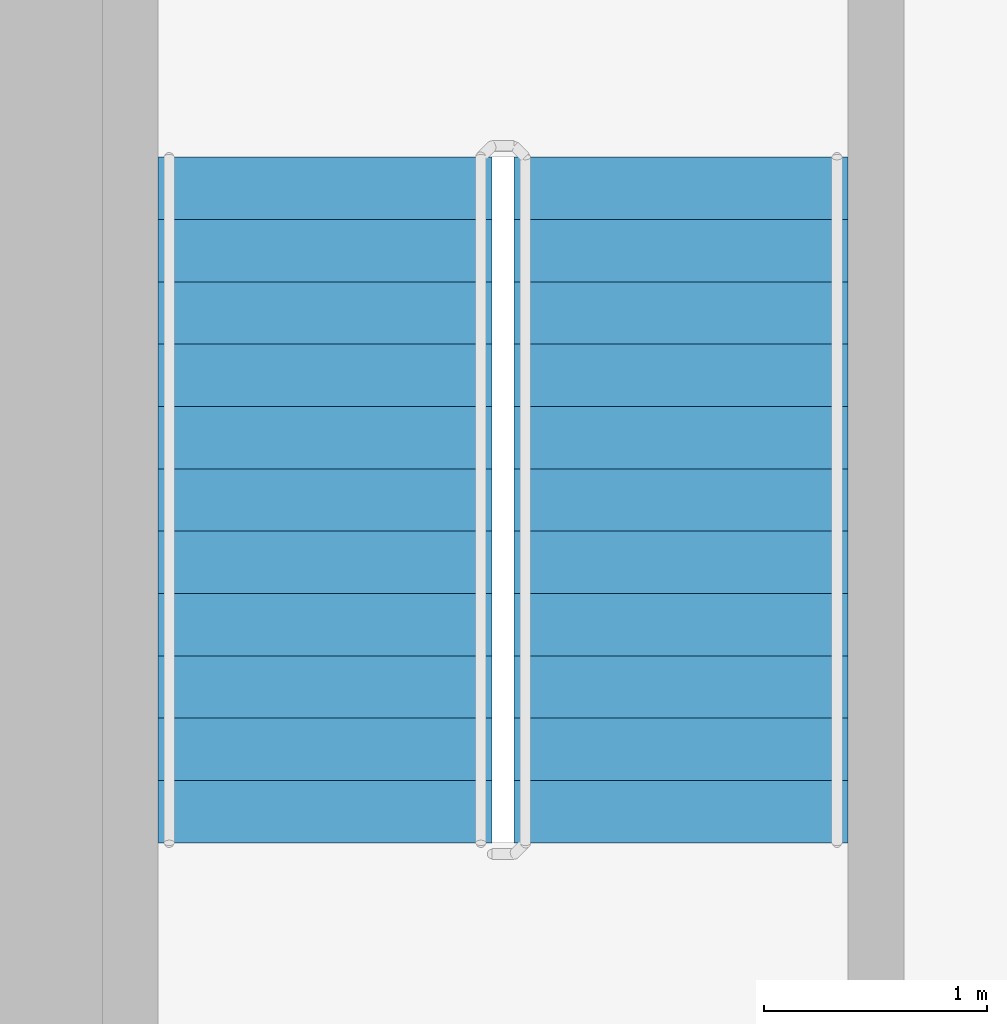
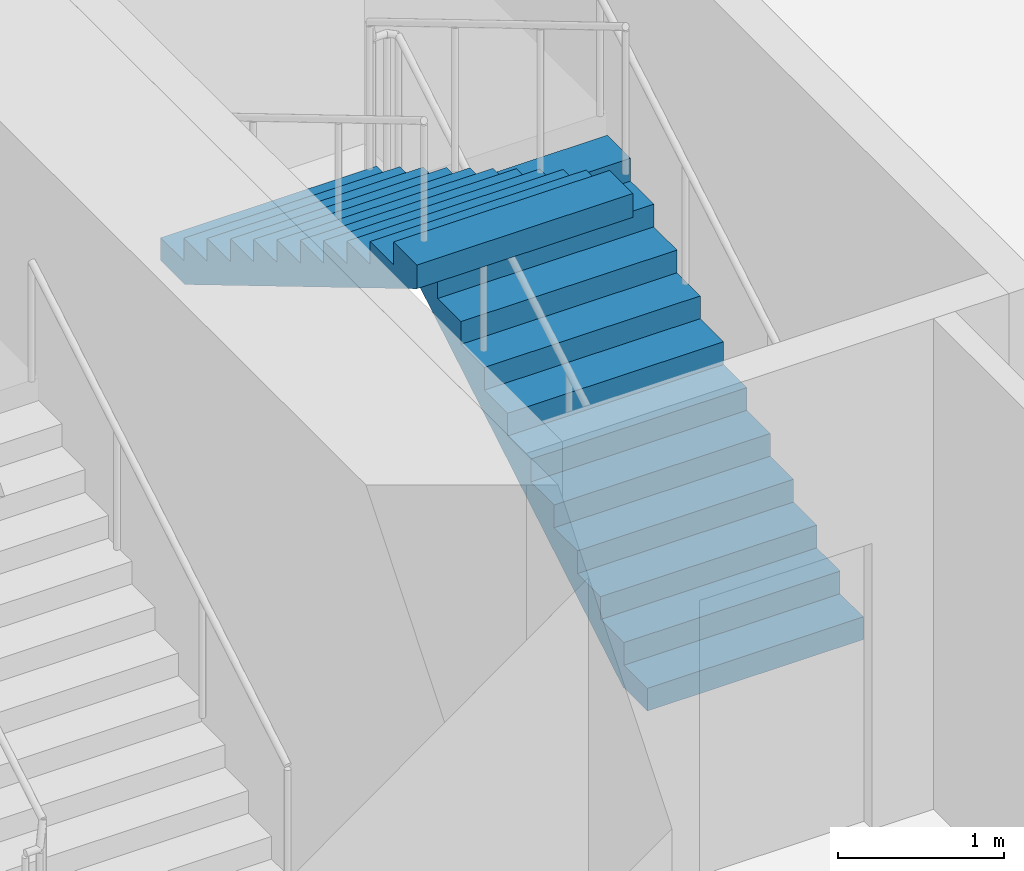
# One storey, part 19 of 23: 2 stair flights, 1 element without a shape of its own.
"""IFC4 building model written with IfcOpenShell, lengths in metres."""

from ifc_helpers import new_model, si_unit, direction, frame, origin, place, context, subcontext, project, spatial, triangles, source, transform, mapped, material, type_object, element, aggregate, save


model = new_model("IFC4")

# Units and contexts
model_context = context("Model", 3, precision=1e-05, world=origin(), true_north=direction((0.0, 1.0)))
body_context = subcontext(model_context, "Body", "Model", "MODEL_VIEW")
ifc_project = project(units=[si_unit("LENGTHUNIT", "METRE"), si_unit("AREAUNIT", "SQUARE_METRE"), si_unit("VOLUMEUNIT", "CUBIC_METRE"), si_unit("PLANEANGLEUNIT", "RADIAN"), si_unit("MASSUNIT", "GRAM", prefix="KILO")], contexts=[model_context])

# Site, building, storey
site_placement = place(None, origin())
site = spatial("IfcSite", under=ifc_project, at=site_placement, CompositionType="ELEMENT")
building_placement = place(site_placement, origin())
building = spatial("IfcBuilding", under=site, at=building_placement, Name="Kilnfold Tower and Market Hall", CompositionType="ELEMENT")
storey_placement = place(building_placement, frame((0.0, 0.0, 55.0)))
storey = spatial("IfcBuildingStorey", under=building, at=storey_placement, Name="L12", CompositionType="ELEMENT", Elevation=55.0)

# Stair, stair flights
ifc_material_1 = material(Name="Concrete C40/50", Category="concrete")
stair_type = type_object("IfcStairType", Name="CORE STAIR 1500", PredefinedType="HALF_TURN_STAIR", material=ifc_material_1)
stair_placement = place(storey_placement, origin())
stair = element("IfcStair", 1, at=stair_placement, inside=storey, type_object=stair_type, Name="L12 ST5", PredefinedType="HALF_TURN_STAIR")
ifc_material_2 = material(Name="Concrete C40/50", Category="concrete")
stair_flight_type = type_object("IfcStairFlightType", Name="CORE STAIR FLIGHT 1500", PredefinedType="STRAIGHT", material=ifc_material_2)
shared_shape = source(origin(), body_context, "Body", "Tessellation", [
    triangles([(0.0, 0.75, 0.0), (0.0, 0.65625, 0.0), (0.0, 0.5625, 0.0), (0.0, 0.46875, 0.0), (0.0, 0.375, 0.0), (0.0, 0.28125, 0.0), (0.0, 0.1875, 0.0), (0.0, 0.09375, 0.0), (0.0, 0.0, 0.0), (0.0, -0.09375, 0.0), (0.0, -0.1875, 0.0), (0.0, -0.28125, 0.0), (0.0, -0.375, 0.0), (0.0, -0.46875, 0.0), (0.0, -0.5625, 0.0), (0.0, -0.65625, 0.0), (0.0, -0.75, 0.0), (0.0, 0.75, 0.166748046875), (0.0, 0.65625, 0.166748046875), (0.0, 0.5625, 0.166748046875), (0.0, 0.46875, 0.166748046875), (0.0, 0.375, 0.166748046875), (0.0, 0.28125, 0.166748046875), (0.0, 0.1875, 0.166748046875), (0.0, 0.09375, 0.166748046875), (0.0, 0.0, 0.166748046875), (0.0, -0.09375, 0.166748046875), (0.0, -0.1875, 0.166748046875), (0.0, -0.28125, 0.166748046875), (0.0, -0.375, 0.166748046875), (0.0, -0.46875, 0.166748046875), (0.0, -0.5625, 0.166748046875), (0.0, -0.65625, 0.166748046875), (0.0, -0.75, 0.166748046875), (0.280029296875, 0.75, 0.166748046875), (0.280029296875, 0.65625, 0.166748046875), (0.280029296875, 0.5625, 0.166748046875), (0.280029296875, 0.46875, 0.166748046875), (0.280029296875, 0.375, 0.166748046875), (0.280029296875, 0.28125, 0.166748046875), (0.280029296875, 0.1875, 0.166748046875), (0.280029296875, 0.09375, 0.166748046875), (0.280029296875, 0.0, 0.166748046875), (0.280029296875, -0.09375, 0.166748046875), (0.280029296875, -0.1875, 0.166748046875), (0.280029296875, -0.28125, 0.166748046875), (0.280029296875, -0.375, 0.166748046875), (0.280029296875, -0.46875, 0.166748046875), (0.280029296875, -0.5625, 0.166748046875), (0.280029296875, -0.65625, 0.166748046875), (0.280029296875, -0.75, 0.166748046875), (0.280029296875, 0.75, 0.333251953125), (0.280029296875, 0.65625, 0.333251953125), (0.280029296875, 0.5625, 0.333251953125), (0.280029296875, 0.46875, 0.333251953125), (0.280029296875, 0.375, 0.333251953125), (0.280029296875, 0.28125, 0.333251953125), (0.280029296875, 0.1875, 0.333251953125), (0.280029296875, 0.09375, 0.333251953125), (0.280029296875, 0.0, 0.333251953125), (0.280029296875, -0.09375, 0.333251953125), (0.280029296875, -0.1875, 0.333251953125), (0.280029296875, -0.28125, 0.333251953125), (0.280029296875, -0.375, 0.333251953125), (0.280029296875, -0.46875, 0.333251953125), (0.280029296875, -0.5625, 0.333251953125), (0.280029296875, -0.65625, 0.333251953125), (0.280029296875, -0.75, 0.333251953125), (0.56005859375, 0.75, 0.333251953125), (0.56005859375, 0.65625, 0.333251953125), (0.56005859375, 0.5625, 0.333251953125), (0.56005859375, 0.46875, 0.333251953125), (0.56005859375, 0.375, 0.333251953125), (0.56005859375, 0.28125, 0.333251953125), (0.56005859375, 0.1875, 0.333251953125), (0.56005859375, 0.09375, 0.333251953125), (0.56005859375, 0.0, 0.333251953125), (0.56005859375, -0.09375, 0.333251953125), (0.56005859375, -0.1875, 0.333251953125), (0.56005859375, -0.28125, 0.333251953125), (0.56005859375, -0.375, 0.333251953125), (0.56005859375, -0.46875, 0.333251953125), (0.56005859375, -0.5625, 0.333251953125), (0.56005859375, -0.65625, 0.333251953125), (0.56005859375, -0.75, 0.333251953125), (0.56005859375, 0.75, 0.5), (0.56005859375, 0.65625, 0.5), (0.56005859375, 0.5625, 0.5), (0.56005859375, 0.46875, 0.5), (0.56005859375, 0.375, 0.5), (0.56005859375, 0.28125, 0.5), (0.56005859375, 0.1875, 0.5), (0.56005859375, 0.09375, 0.5), (0.56005859375, 0.0, 0.5), (0.56005859375, -0.09375, 0.5), (0.56005859375, -0.1875, 0.5), (0.56005859375, -0.28125, 0.5), (0.56005859375, -0.375, 0.5), (0.56005859375, -0.46875, 0.5), (0.56005859375, -0.5625, 0.5), (0.56005859375, -0.65625, 0.5), (0.56005859375, -0.75, 0.5), (0.840087890625, 0.75, 0.5), (0.840087890625, 0.65625, 0.5), (0.840087890625, 0.5625, 0.5), (0.840087890625, 0.46875, 0.5), (0.840087890625, 0.375, 0.5), (0.840087890625, 0.28125, 0.5), (0.840087890625, 0.1875, 0.5), (0.840087890625, 0.09375, 0.5), (0.840087890625, 0.0, 0.5), (0.840087890625, -0.09375, 0.5), (0.840087890625, -0.1875, 0.5), (0.840087890625, -0.28125, 0.5), (0.840087890625, -0.375, 0.5), (0.840087890625, -0.46875, 0.5), (0.840087890625, -0.5625, 0.5), (0.840087890625, -0.65625, 0.5), (0.840087890625, -0.75, 0.5), (0.840087890625, 0.75, 0.666748046875), (0.840087890625, 0.65625, 0.666748046875), (0.840087890625, 0.5625, 0.666748046875), (0.840087890625, 0.46875, 0.666748046875), (0.840087890625, 0.375, 0.666748046875), (0.840087890625, 0.28125, 0.666748046875), (0.840087890625, 0.1875, 0.666748046875), (0.840087890625, 0.09375, 0.666748046875), (0.840087890625, 0.0, 0.666748046875), (0.840087890625, -0.09375, 0.666748046875), (0.840087890625, -0.1875, 0.666748046875), (0.840087890625, -0.28125, 0.666748046875), (0.840087890625, -0.375, 0.666748046875), (0.840087890625, -0.46875, 0.666748046875), (0.840087890625, -0.5625, 0.666748046875), (0.840087890625, -0.65625, 0.666748046875), (0.840087890625, -0.75, 0.666748046875), (1.1201171875, 0.75, 0.666748046875), (1.1201171875, 0.65625, 0.666748046875), (1.1201171875, 0.5625, 0.666748046875), (1.1201171875, 0.46875, 0.666748046875), (1.1201171875, 0.375, 0.666748046875), (1.1201171875, 0.28125, 0.666748046875), (1.1201171875, 0.1875, 0.666748046875), (1.1201171875, 0.09375, 0.666748046875), (1.1201171875, 0.0, 0.666748046875), (1.1201171875, -0.09375, 0.666748046875), (1.1201171875, -0.1875, 0.666748046875), (1.1201171875, -0.28125, 0.666748046875), (1.1201171875, -0.375, 0.666748046875), (1.1201171875, -0.46875, 0.666748046875), (1.1201171875, -0.5625, 0.666748046875), (1.1201171875, -0.65625, 0.666748046875), (1.1201171875, -0.75, 0.666748046875), (1.1201171875, 0.75, 0.833251953125), (1.1201171875, 0.65625, 0.833251953125), (1.1201171875, 0.5625, 0.833251953125), (1.1201171875, 0.46875, 0.833251953125), (1.1201171875, 0.375, 0.833251953125), (1.1201171875, 0.28125, 0.833251953125), (1.1201171875, 0.1875, 0.833251953125), (1.1201171875, 0.09375, 0.833251953125), (1.1201171875, 0.0, 0.833251953125), (1.1201171875, -0.09375, 0.833251953125), (1.1201171875, -0.1875, 0.833251953125), (1.1201171875, -0.28125, 0.833251953125), (1.1201171875, -0.375, 0.833251953125), (1.1201171875, -0.46875, 0.833251953125), (1.1201171875, -0.5625, 0.833251953125), (1.1201171875, -0.65625, 0.833251953125), (1.1201171875, -0.75, 0.833251953125), (1.39990234375, 0.75, 0.833251953125), (1.39990234375, 0.65625, 0.833251953125), (1.39990234375, 0.5625, 0.833251953125), (1.39990234375, 0.46875, 0.833251953125), (1.39990234375, 0.375, 0.833251953125), (1.39990234375, 0.28125, 0.833251953125), (1.39990234375, 0.1875, 0.833251953125), (1.39990234375, 0.09375, 0.833251953125), (1.39990234375, 0.0, 0.833251953125), (1.39990234375, -0.09375, 0.833251953125), (1.39990234375, -0.1875, 0.833251953125), (1.39990234375, -0.28125, 0.833251953125), (1.39990234375, -0.375, 0.833251953125), (1.39990234375, -0.46875, 0.833251953125), (1.39990234375, -0.5625, 0.833251953125), (1.39990234375, -0.65625, 0.833251953125), (1.39990234375, -0.75, 0.833251953125), (1.39990234375, 0.75, 1.0), (1.39990234375, 0.65625, 1.0), (1.39990234375, 0.5625, 1.0), (1.39990234375, 0.46875, 1.0), (1.39990234375, 0.375, 1.0), (1.39990234375, 0.28125, 1.0), (1.39990234375, 0.1875, 1.0), (1.39990234375, 0.09375, 1.0), (1.39990234375, 0.0, 1.0), (1.39990234375, -0.09375, 1.0), (1.39990234375, -0.1875, 1.0), (1.39990234375, -0.28125, 1.0), (1.39990234375, -0.375, 1.0), (1.39990234375, -0.46875, 1.0), (1.39990234375, -0.5625, 1.0), (1.39990234375, -0.65625, 1.0), (1.39990234375, -0.75, 1.0), (1.679931640625, 0.75, 1.0), (1.679931640625, 0.65625, 1.0), (1.679931640625, 0.5625, 1.0), (1.679931640625, 0.46875, 1.0), (1.679931640625, 0.375, 1.0), (1.679931640625, 0.28125, 1.0), (1.679931640625, 0.1875, 1.0), (1.679931640625, 0.09375, 1.0), (1.679931640625, 0.0, 1.0), (1.679931640625, -0.09375, 1.0), (1.679931640625, -0.1875, 1.0), (1.679931640625, -0.28125, 1.0), (1.679931640625, -0.375, 1.0), (1.679931640625, -0.46875, 1.0), (1.679931640625, -0.5625, 1.0), (1.679931640625, -0.65625, 1.0), (1.679931640625, -0.75, 1.0), (1.679931640625, 0.75, 1.166748046875), (1.679931640625, 0.65625, 1.166748046875), (1.679931640625, 0.5625, 1.166748046875), (1.679931640625, 0.46875, 1.166748046875), (1.679931640625, 0.375, 1.166748046875), (1.679931640625, 0.28125, 1.166748046875), (1.679931640625, 0.1875, 1.166748046875), (1.679931640625, 0.09375, 1.166748046875), (1.679931640625, 0.0, 1.166748046875), (1.679931640625, -0.09375, 1.166748046875), (1.679931640625, -0.1875, 1.166748046875), (1.679931640625, -0.28125, 1.166748046875), (1.679931640625, -0.375, 1.166748046875), (1.679931640625, -0.46875, 1.166748046875), (1.679931640625, -0.5625, 1.166748046875), (1.679931640625, -0.65625, 1.166748046875), (1.679931640625, -0.75, 1.166748046875), (1.9599609375, 0.75, 1.166748046875), (1.9599609375, 0.65625, 1.166748046875), (1.9599609375, 0.5625, 1.166748046875), (1.9599609375, 0.46875, 1.166748046875), (1.9599609375, 0.375, 1.166748046875), (1.9599609375, 0.28125, 1.166748046875), (1.9599609375, 0.1875, 1.166748046875), (1.9599609375, 0.09375, 1.166748046875), (1.9599609375, 0.0, 1.166748046875), (1.9599609375, -0.09375, 1.166748046875), (1.9599609375, -0.1875, 1.166748046875), (1.9599609375, -0.28125, 1.166748046875), (1.9599609375, -0.375, 1.166748046875), (1.9599609375, -0.46875, 1.166748046875), (1.9599609375, -0.5625, 1.166748046875), (1.9599609375, -0.65625, 1.166748046875), (1.9599609375, -0.75, 1.166748046875), (1.9599609375, 0.75, 1.333251953125), (1.9599609375, 0.65625, 1.333251953125), (1.9599609375, 0.5625, 1.333251953125), (1.9599609375, 0.46875, 1.333251953125), (1.9599609375, 0.375, 1.333251953125), (1.9599609375, 0.28125, 1.333251953125), (1.9599609375, 0.1875, 1.333251953125), (1.9599609375, 0.09375, 1.333251953125), (1.9599609375, 0.0, 1.333251953125), (1.9599609375, -0.09375, 1.333251953125), (1.9599609375, -0.1875, 1.333251953125), (1.9599609375, -0.28125, 1.333251953125), (1.9599609375, -0.375, 1.333251953125), (1.9599609375, -0.46875, 1.333251953125), (1.9599609375, -0.5625, 1.333251953125), (1.9599609375, -0.65625, 1.333251953125), (1.9599609375, -0.75, 1.333251953125), (2.239990234375, 0.75, 1.333251953125), (2.239990234375, 0.65625, 1.333251953125), (2.239990234375, 0.5625, 1.333251953125), (2.239990234375, 0.46875, 1.333251953125), (2.239990234375, 0.375, 1.333251953125), (2.239990234375, 0.28125, 1.333251953125), (2.239990234375, 0.1875, 1.333251953125), (2.239990234375, 0.09375, 1.333251953125), (2.239990234375, 0.0, 1.333251953125), (2.239990234375, -0.09375, 1.333251953125), (2.239990234375, -0.1875, 1.333251953125), (2.239990234375, -0.28125, 1.333251953125), (2.239990234375, -0.375, 1.333251953125), (2.239990234375, -0.46875, 1.333251953125), (2.239990234375, -0.5625, 1.333251953125), (2.239990234375, -0.65625, 1.333251953125), (2.239990234375, -0.75, 1.333251953125), (2.239990234375, 0.75, 1.5), (2.239990234375, 0.65625, 1.5), (2.239990234375, 0.5625, 1.5), (2.239990234375, 0.46875, 1.5), (2.239990234375, 0.375, 1.5), (2.239990234375, 0.28125, 1.5), (2.239990234375, 0.1875, 1.5), (2.239990234375, 0.09375, 1.5), (2.239990234375, 0.0, 1.5), (2.239990234375, -0.09375, 1.5), (2.239990234375, -0.1875, 1.5), (2.239990234375, -0.28125, 1.5), (2.239990234375, -0.375, 1.5), (2.239990234375, -0.46875, 1.5), (2.239990234375, -0.5625, 1.5), (2.239990234375, -0.65625, 1.5), (2.239990234375, -0.75, 1.5), (2.52001953125, 0.75, 1.5), (2.52001953125, 0.65625, 1.5), (2.52001953125, 0.5625, 1.5), (2.52001953125, 0.46875, 1.5), (2.52001953125, 0.375, 1.5), (2.52001953125, 0.28125, 1.5), (2.52001953125, 0.1875, 1.5), (2.52001953125, 0.09375, 1.5), (2.52001953125, 0.0, 1.5), (2.52001953125, -0.09375, 1.5), (2.52001953125, -0.1875, 1.5), (2.52001953125, -0.28125, 1.5), (2.52001953125, -0.375, 1.5), (2.52001953125, -0.46875, 1.5), (2.52001953125, -0.5625, 1.5), (2.52001953125, -0.65625, 1.5), (2.52001953125, -0.75, 1.5), (2.52001953125, 0.75, 1.666748046875), (2.52001953125, 0.65625, 1.666748046875), (2.52001953125, 0.5625, 1.666748046875), (2.52001953125, 0.46875, 1.666748046875), (2.52001953125, 0.375, 1.666748046875), (2.52001953125, 0.28125, 1.666748046875), (2.52001953125, 0.1875, 1.666748046875), (2.52001953125, 0.09375, 1.666748046875), (2.52001953125, 0.0, 1.666748046875), (2.52001953125, -0.09375, 1.666748046875), (2.52001953125, -0.1875, 1.666748046875), (2.52001953125, -0.28125, 1.666748046875), (2.52001953125, -0.375, 1.666748046875), (2.52001953125, -0.46875, 1.666748046875), (2.52001953125, -0.5625, 1.666748046875), (2.52001953125, -0.65625, 1.666748046875), (2.52001953125, -0.75, 1.666748046875), (2.800048828125, 0.75, 1.666748046875), (2.800048828125, 0.65625, 1.666748046875), (2.800048828125, 0.5625, 1.666748046875), (2.800048828125, 0.46875, 1.666748046875), (2.800048828125, 0.375, 1.666748046875), (2.800048828125, 0.28125, 1.666748046875), (2.800048828125, 0.1875, 1.666748046875), (2.800048828125, 0.09375, 1.666748046875), (2.800048828125, 0.0, 1.666748046875), (2.800048828125, -0.09375, 1.666748046875), (2.800048828125, -0.1875, 1.666748046875), (2.800048828125, -0.28125, 1.666748046875), (2.800048828125, -0.375, 1.666748046875), (2.800048828125, -0.46875, 1.666748046875), (2.800048828125, -0.5625, 1.666748046875), (2.800048828125, -0.65625, 1.666748046875), (2.800048828125, -0.75, 1.666748046875), (2.800048828125, 0.75, 1.833251953125), (2.800048828125, 0.65625, 1.833251953125), (2.800048828125, 0.5625, 1.833251953125), (2.800048828125, 0.46875, 1.833251953125), (2.800048828125, 0.375, 1.833251953125), (2.800048828125, 0.28125, 1.833251953125), (2.800048828125, 0.1875, 1.833251953125), (2.800048828125, 0.09375, 1.833251953125), (2.800048828125, 0.0, 1.833251953125), (2.800048828125, -0.09375, 1.833251953125), (2.800048828125, -0.1875, 1.833251953125), (2.800048828125, -0.28125, 1.833251953125), (2.800048828125, -0.375, 1.833251953125), (2.800048828125, -0.46875, 1.833251953125), (2.800048828125, -0.5625, 1.833251953125), (2.800048828125, -0.65625, 1.833251953125), (2.800048828125, -0.75, 1.833251953125), (3.080078125, 0.75, 1.833251953125), (3.080078125, 0.65625, 1.833251953125), (3.080078125, 0.5625, 1.833251953125), (3.080078125, 0.46875, 1.833251953125), (3.080078125, 0.375, 1.833251953125), (3.080078125, 0.28125, 1.833251953125), (3.080078125, 0.1875, 1.833251953125), (3.080078125, 0.09375, 1.833251953125), (3.080078125, 0.0, 1.833251953125), (3.080078125, -0.09375, 1.833251953125), (3.080078125, -0.1875, 1.833251953125), (3.080078125, -0.28125, 1.833251953125), (3.080078125, -0.375, 1.833251953125), (3.080078125, -0.46875, 1.833251953125), (3.080078125, -0.5625, 1.833251953125), (3.080078125, -0.65625, 1.833251953125), (3.080078125, -0.75, 1.833251953125), (3.080078125, 0.75, 1.658935546875), (3.080078125, 0.65625, 1.658935546875), (3.080078125, 0.5625, 1.658935546875), (3.080078125, 0.46875, 1.658935546875), (3.080078125, 0.375, 1.658935546875), (3.080078125, 0.28125, 1.658935546875), (3.080078125, 0.1875, 1.658935546875), (3.080078125, 0.09375, 1.658935546875), (3.080078125, 0.0, 1.658935546875), (3.080078125, -0.09375, 1.658935546875), (3.080078125, -0.1875, 1.658935546875), (3.080078125, -0.28125, 1.658935546875), (3.080078125, -0.375, 1.658935546875), (3.080078125, -0.46875, 1.658935546875), (3.080078125, -0.5625, 1.658935546875), (3.080078125, -0.65625, 1.658935546875), (3.080078125, -0.75, 1.658935546875), (0.29296875, 0.75, 0.0), (0.29296875, 0.65625, 0.0), (0.29296875, 0.5625, 0.0), (0.29296875, 0.46875, 0.0), (0.29296875, 0.375, 0.0), (0.29296875, 0.28125, 0.0), (0.29296875, 0.1875, 0.0), (0.29296875, 0.09375, 0.0), (0.29296875, 0.0, 0.0), (0.29296875, -0.09375, 0.0), (0.29296875, -0.1875, 0.0), (0.29296875, -0.28125, 0.0), (0.29296875, -0.375, 0.0), (0.29296875, -0.46875, 0.0), (0.29296875, -0.5625, 0.0), (0.29296875, -0.65625, 0.0), (0.29296875, -0.75, 0.0)], [[1, 392, 409], [17, 425, 408], [392, 358, 375], [408, 391, 374], [392, 341, 358], [408, 374, 357], [392, 324, 341], [408, 357, 340], [392, 307, 324], [408, 340, 323], [307, 273, 290], [323, 306, 289], [392, 273, 307], [408, 323, 289], [273, 239, 256], [289, 272, 255], [392, 239, 273], [408, 289, 255], [239, 205, 222], [255, 238, 221], [392, 205, 239], [408, 255, 221], [205, 171, 188], [221, 204, 187], [392, 171, 205], [408, 221, 187], [171, 137, 154], [187, 170, 153], [392, 137, 171], [408, 187, 153], [137, 103, 120], [153, 136, 119], [392, 103, 137], [408, 153, 119], [103, 69, 86], [119, 102, 85], [392, 69, 103], [408, 119, 85], [1, 69, 392], [17, 408, 85], [69, 35, 52], [85, 68, 51], [1, 35, 69], [17, 85, 51], [35, 1, 18], [51, 34, 17], [1, 19, 18], [1, 2, 19], [2, 20, 19], [2, 3, 20], [3, 21, 20], [3, 4, 21], [4, 22, 21], [4, 5, 22], [5, 23, 22], [5, 6, 23], [6, 24, 23], [6, 7, 24], [7, 25, 24], [7, 8, 25], [8, 26, 25], [8, 9, 26], [9, 27, 26], [9, 10, 27], [10, 28, 27], [10, 11, 28], [11, 29, 28], [11, 12, 29], [12, 30, 29], [12, 13, 30], [13, 31, 30], [13, 14, 31], [14, 32, 31], [14, 15, 32], [15, 33, 32], [15, 16, 33], [16, 34, 33], [16, 17, 34], [18, 36, 35], [18, 19, 36], [19, 37, 36], [19, 20, 37], [20, 38, 37], [20, 21, 38], [21, 39, 38], [21, 22, 39], [22, 40, 39], [22, 23, 40], [23, 41, 40], [23, 24, 41], [24, 42, 41], [24, 25, 42], [25, 43, 42], [25, 26, 43], [26, 44, 43], [26, 27, 44], [27, 45, 44], [27, 28, 45], [28, 46, 45], [28, 29, 46], [29, 47, 46], [29, 30, 47], [30, 48, 47], [30, 31, 48], [31, 49, 48], [31, 32, 49], [32, 50, 49], [32, 33, 50], [33, 51, 50], [33, 34, 51], [35, 53, 52], [35, 36, 53], [36, 54, 53], [36, 37, 54], [37, 55, 54], [37, 38, 55], [38, 56, 55], [38, 39, 56], [39, 57, 56], [39, 40, 57], [40, 58, 57], [40, 41, 58], [41, 59, 58], [41, 42, 59], [42, 60, 59], [42, 43, 60], [43, 61, 60], [43, 44, 61], [44, 62, 61], [44, 45, 62], [45, 63, 62], [45, 46, 63], [46, 64, 63], [46, 47, 64], [47, 65, 64], [47, 48, 65], [48, 66, 65], [48, 49, 66], [49, 67, 66], [49, 50, 67], [50, 68, 67], [50, 51, 68], [52, 70, 69], [52, 53, 70], [53, 71, 70], [53, 54, 71], [54, 72, 71], [54, 55, 72], [55, 73, 72], [55, 56, 73], [56, 74, 73], [56, 57, 74], [57, 75, 74], [57, 58, 75], [58, 76, 75], [58, 59, 76], [59, 77, 76], [59, 60, 77], [60, 78, 77], [60, 61, 78], [61, 79, 78], [61, 62, 79], [62, 80, 79], [62, 63, 80], [63, 81, 80], [63, 64, 81], [64, 82, 81], [64, 65, 82], [65, 83, 82], [65, 66, 83], [66, 84, 83], [66, 67, 84], [67, 85, 84], [67, 68, 85], [69, 87, 86], [69, 70, 87], [70, 88, 87], [70, 71, 88], [71, 89, 88], [71, 72, 89], [72, 90, 89], [72, 73, 90], [73, 91, 90], [73, 74, 91], [74, 92, 91], [74, 75, 92], [75, 93, 92], [75, 76, 93], [76, 94, 93], [76, 77, 94], [77, 95, 94], [77, 78, 95], [78, 96, 95], [78, 79, 96], [79, 97, 96], [79, 80, 97], [80, 98, 97], [80, 81, 98], [81, 99, 98], [81, 82, 99], [82, 100, 99], [82, 83, 100], [83, 101, 100], [83, 84, 101], [84, 102, 101], [84, 85, 102], [86, 104, 103], [86, 87, 104], [87, 105, 104], [87, 88, 105], [88, 106, 105], [88, 89, 106], [89, 107, 106], [89, 90, 107], [90, 108, 107], [90, 91, 108], [91, 109, 108], [91, 92, 109], [92, 110, 109], [92, 93, 110], [93, 111, 110], [93, 94, 111], [94, 112, 111], [94, 95, 112], [95, 113, 112], [95, 96, 113], [96, 114, 113], [96, 97, 114], [97, 115, 114], [97, 98, 115], [98, 116, 115], [98, 99, 116], [99, 117, 116], [99, 100, 117], [100, 118, 117], [100, 101, 118], [101, 119, 118], [101, 102, 119], [103, 121, 120], [103, 104, 121], [104, 122, 121], [104, 105, 122], [105, 123, 122], [105, 106, 123], [106, 124, 123], [106, 107, 124], [107, 125, 124], [107, 108, 125], [108, 126, 125], [108, 109, 126], [109, 127, 126], [109, 110, 127], [110, 128, 127], [110, 111, 128], [111, 129, 128], [111, 112, 129], [112, 130, 129], [112, 113, 130], [113, 131, 130], [113, 114, 131], [114, 132, 131], [114, 115, 132], [115, 133, 132], [115, 116, 133], [116, 134, 133], [116, 117, 134], [117, 135, 134], [117, 118, 135], [118, 136, 135], [118, 119, 136], [120, 138, 137], [120, 121, 138], [121, 139, 138], [121, 122, 139], [122, 140, 139], [122, 123, 140], [123, 141, 140], [123, 124, 141], [124, 142, 141], [124, 125, 142], [125, 143, 142], [125, 126, 143], [126, 144, 143], [126, 127, 144], [127, 145, 144], [127, 128, 145], [128, 146, 145], [128, 129, 146], [129, 147, 146], [129, 130, 147], [130, 148, 147], [130, 131, 148], [131, 149, 148], [131, 132, 149], [132, 150, 149], [132, 133, 150], [133, 151, 150], [133, 134, 151], [134, 152, 151], [134, 135, 152], [135, 153, 152], [135, 136, 153], [137, 155, 154], [137, 138, 155], [138, 156, 155], [138, 139, 156], [139, 157, 156], [139, 140, 157], [140, 158, 157], [140, 141, 158], [141, 159, 158], [141, 142, 159], [142, 160, 159], [142, 143, 160], [143, 161, 160], [143, 144, 161], [144, 162, 161], [144, 145, 162], [145, 163, 162], [145, 146, 163], [146, 164, 163], [146, 147, 164], [147, 165, 164], [147, 148, 165], [148, 166, 165], [148, 149, 166], [149, 167, 166], [149, 150, 167], [150, 168, 167], [150, 151, 168], [151, 169, 168], [151, 152, 169], [152, 170, 169], [152, 153, 170], [154, 172, 171], [154, 155, 172], [155, 173, 172], [155, 156, 173], [156, 174, 173], [156, 157, 174], [157, 175, 174], [157, 158, 175], [158, 176, 175], [158, 159, 176], [159, 177, 176], [159, 160, 177], [160, 178, 177], [160, 161, 178], [161, 179, 178], [161, 162, 179], [162, 180, 179], [162, 163, 180], [163, 181, 180], [163, 164, 181], [164, 182, 181], [164, 165, 182], [165, 183, 182], [165, 166, 183], [166, 184, 183], [166, 167, 184], [167, 185, 184], [167, 168, 185], [168, 186, 185], [168, 169, 186], [169, 187, 186], [169, 170, 187], [171, 189, 188], [171, 172, 189], [172, 190, 189], [172, 173, 190], [173, 191, 190], [173, 174, 191], [174, 192, 191], [174, 175, 192], [175, 193, 192], [175, 176, 193], [176, 194, 193], [176, 177, 194], [177, 195, 194], [177, 178, 195], [178, 196, 195], [178, 179, 196], [179, 197, 196], [179, 180, 197], [180, 198, 197], [180, 181, 198], [181, 199, 198], [181, 182, 199], [182, 200, 199], [182, 183, 200], [183, 201, 200], [183, 184, 201], [184, 202, 201], [184, 185, 202], [185, 203, 202], [185, 186, 203], [186, 204, 203], [186, 187, 204], [188, 206, 205], [188, 189, 206], [189, 207, 206], [189, 190, 207], [190, 208, 207], [190, 191, 208], [191, 209, 208], [191, 192, 209], [192, 210, 209], [192, 193, 210], [193, 211, 210], [193, 194, 211], [194, 212, 211], [194, 195, 212], [195, 213, 212], [195, 196, 213], [196, 214, 213], [196, 197, 214], [197, 215, 214], [197, 198, 215], [198, 216, 215], [198, 199, 216], [199, 217, 216], [199, 200, 217], [200, 218, 217], [200, 201, 218], [201, 219, 218], [201, 202, 219], [202, 220, 219], [202, 203, 220], [203, 221, 220], [203, 204, 221], [205, 223, 222], [205, 206, 223], [206, 224, 223], [206, 207, 224], [207, 225, 224], [207, 208, 225], [208, 226, 225], [208, 209, 226], [209, 227, 226], [209, 210, 227], [210, 228, 227], [210, 211, 228], [211, 229, 228], [211, 212, 229], [212, 230, 229], [212, 213, 230], [213, 231, 230], [213, 214, 231], [214, 232, 231], [214, 215, 232], [215, 233, 232], [215, 216, 233], [216, 234, 233], [216, 217, 234], [217, 235, 234], [217, 218, 235], [218, 236, 235], [218, 219, 236], [219, 237, 236], [219, 220, 237], [220, 238, 237], [220, 221, 238], [222, 240, 239], [222, 223, 240], [223, 241, 240], [223, 224, 241], [224, 242, 241], [224, 225, 242], [225, 243, 242], [225, 226, 243], [226, 244, 243], [226, 227, 244], [227, 245, 244], [227, 228, 245], [228, 246, 245], [228, 229, 246], [229, 247, 246], [229, 230, 247], [230, 248, 247], [230, 231, 248], [231, 249, 248], [231, 232, 249], [232, 250, 249], [232, 233, 250], [233, 251, 250], [233, 234, 251], [234, 252, 251], [234, 235, 252], [235, 253, 252], [235, 236, 253], [236, 254, 253], [236, 237, 254], [237, 255, 254], [237, 238, 255], [239, 257, 256], [239, 240, 257], [240, 258, 257], [240, 241, 258], [241, 259, 258], [241, 242, 259], [242, 260, 259], [242, 243, 260], [243, 261, 260], [243, 244, 261], [244, 262, 261], [244, 245, 262], [245, 263, 262], [245, 246, 263], [246, 264, 263], [246, 247, 264], [247, 265, 264], [247, 248, 265], [248, 266, 265], [248, 249, 266], [249, 267, 266], [249, 250, 267], [250, 268, 267], [250, 251, 268], [251, 269, 268], [251, 252, 269], [252, 270, 269], [252, 253, 270], [253, 271, 270], [253, 254, 271], [254, 272, 271], [254, 255, 272], [256, 274, 273], [256, 257, 274], [257, 275, 274], [257, 258, 275], [258, 276, 275], [258, 259, 276], [259, 277, 276], [259, 260, 277], [260, 278, 277], [260, 261, 278], [261, 279, 278], [261, 262, 279], [262, 280, 279], [262, 263, 280], [263, 281, 280], [263, 264, 281], [264, 282, 281], [264, 265, 282], [265, 283, 282], [265, 266, 283], [266, 284, 283], [266, 267, 284], [267, 285, 284], [267, 268, 285], [268, 286, 285], [268, 269, 286], [269, 287, 286], [269, 270, 287], [270, 288, 287], [270, 271, 288], [271, 289, 288], [271, 272, 289], [273, 291, 290], [273, 274, 291], [274, 292, 291], [274, 275, 292], [275, 293, 292], [275, 276, 293], [276, 294, 293], [276, 277, 294], [277, 295, 294], [277, 278, 295], [278, 296, 295], [278, 279, 296], [279, 297, 296], [279, 280, 297], [280, 298, 297], [280, 281, 298], [281, 299, 298], [281, 282, 299], [282, 300, 299], [282, 283, 300], [283, 301, 300], [283, 284, 301], [284, 302, 301], [284, 285, 302], [285, 303, 302], [285, 286, 303], [286, 304, 303], [286, 287, 304], [287, 305, 304], [287, 288, 305], [288, 306, 305], [288, 289, 306], [290, 308, 307], [290, 291, 308], [291, 309, 308], [291, 292, 309], [292, 310, 309], [292, 293, 310], [293, 311, 310], [293, 294, 311], [294, 312, 311], [294, 295, 312], [295, 313, 312], [295, 296, 313], [296, 314, 313], [296, 297, 314], [297, 315, 314], [297, 298, 315], [298, 316, 315], [298, 299, 316], [299, 317, 316], [299, 300, 317], [300, 318, 317], [300, 301, 318], [301, 319, 318], [301, 302, 319], [302, 320, 319], [302, 303, 320], [303, 321, 320], [303, 304, 321], [304, 322, 321], [304, 305, 322], [305, 323, 322], [305, 306, 323], [307, 325, 324], [307, 308, 325], [308, 326, 325], [308, 309, 326], [309, 327, 326], [309, 310, 327], [310, 328, 327], [310, 311, 328], [311, 329, 328], [311, 312, 329], [312, 330, 329], [312, 313, 330], [313, 331, 330], [313, 314, 331], [314, 332, 331], [314, 315, 332], [315, 333, 332], [315, 316, 333], [316, 334, 333], [316, 317, 334], [317, 335, 334], [317, 318, 335], [318, 336, 335], [318, 319, 336], [319, 337, 336], [319, 320, 337], [320, 338, 337], [320, 321, 338], [321, 339, 338], [321, 322, 339], [322, 340, 339], [322, 323, 340], [324, 342, 341], [324, 325, 342], [325, 343, 342], [325, 326, 343], [326, 344, 343], [326, 327, 344], [327, 345, 344], [327, 328, 345], [328, 346, 345], [328, 329, 346], [329, 347, 346], [329, 330, 347], [330, 348, 347], [330, 331, 348], [331, 349, 348], [331, 332, 349], [332, 350, 349], [332, 333, 350], [333, 351, 350], [333, 334, 351], [334, 352, 351], [334, 335, 352], [335, 353, 352], [335, 336, 353], [336, 354, 353], [336, 337, 354], [337, 355, 354], [337, 338, 355], [338, 356, 355], [338, 339, 356], [339, 357, 356], [339, 340, 357], [341, 359, 358], [341, 342, 359], [342, 360, 359], [342, 343, 360], [343, 361, 360], [343, 344, 361], [344, 362, 361], [344, 345, 362], [345, 363, 362], [345, 346, 363], [346, 364, 363], [346, 347, 364], [347, 365, 364], [347, 348, 365], [348, 366, 365], [348, 349, 366], [349, 367, 366], [349, 350, 367], [350, 368, 367], [350, 351, 368], [351, 369, 368], [351, 352, 369], [352, 370, 369], [352, 353, 370], [353, 371, 370], [353, 354, 371], [354, 372, 371], [354, 355, 372], [355, 373, 372], [355, 356, 373], [356, 374, 373], [356, 357, 374], [358, 376, 375], [358, 359, 376], [359, 377, 376], [359, 360, 377], [360, 378, 377], [360, 361, 378], [361, 379, 378], [361, 362, 379], [362, 380, 379], [362, 363, 380], [363, 381, 380], [363, 364, 381], [364, 382, 381], [364, 365, 382], [365, 383, 382], [365, 366, 383], [366, 384, 383], [366, 367, 384], [367, 385, 384], [367, 368, 385], [368, 386, 385], [368, 369, 386], [369, 387, 386], [369, 370, 387], [370, 388, 387], [370, 371, 388], [371, 389, 388], [371, 372, 389], [372, 390, 389], [372, 373, 390], [373, 391, 390], [373, 374, 391], [375, 393, 392], [375, 376, 393], [376, 394, 393], [376, 377, 394], [377, 395, 394], [377, 378, 395], [378, 396, 395], [378, 379, 396], [379, 397, 396], [379, 380, 397], [380, 398, 397], [380, 381, 398], [381, 399, 398], [381, 382, 399], [382, 400, 399], [382, 383, 400], [383, 401, 400], [383, 384, 401], [384, 402, 401], [384, 385, 402], [385, 403, 402], [385, 386, 403], [386, 404, 403], [386, 387, 404], [387, 405, 404], [387, 388, 405], [388, 406, 405], [388, 389, 406], [389, 407, 406], [389, 390, 407], [390, 408, 407], [390, 391, 408], [392, 410, 409], [392, 393, 410], [393, 411, 410], [393, 394, 411], [394, 412, 411], [394, 395, 412], [395, 413, 412], [395, 396, 413], [396, 414, 413], [396, 397, 414], [397, 415, 414], [397, 398, 415], [398, 416, 415], [398, 399, 416], [399, 417, 416], [399, 400, 417], [400, 418, 417], [400, 401, 418], [401, 419, 418], [401, 402, 419], [402, 420, 419], [402, 403, 420], [403, 421, 420], [403, 404, 421], [404, 422, 421], [404, 405, 422], [405, 423, 422], [405, 406, 423], [406, 424, 423], [406, 407, 424], [407, 425, 424], [407, 408, 425], [409, 2, 1], [409, 410, 2], [410, 3, 2], [410, 411, 3], [411, 4, 3], [411, 412, 4], [412, 5, 4], [412, 413, 5], [413, 6, 5], [413, 414, 6], [414, 7, 6], [414, 415, 7], [415, 8, 7], [415, 416, 8], [416, 9, 8], [416, 417, 9], [417, 10, 9], [417, 418, 10], [418, 11, 10], [418, 419, 11], [419, 12, 11], [419, 420, 12], [420, 13, 12], [420, 421, 13], [421, 14, 13], [421, 422, 14], [422, 15, 14], [422, 423, 15], [423, 16, 15], [423, 424, 16], [424, 17, 16], [424, 425, 17]], closed=True),
])
stair_flight_1_placement = place(storey_placement, frame((20.699951171875, 11.5, 0.0), z_axis=(0.0, 0.0, 1.0), x_axis=(0.0, 1.0, 0.0)))
stair_flight_1 = element("IfcStairFlight", 2, at=stair_flight_1_placement, type_object=stair_flight_type, Name="ST5 flight 1", NumberOfRisers=12, NumberOfTreads=11, PredefinedType="STRAIGHT", RiserHeight=0.166666667, TreadLength=0.28, context=body_context, shape_type="MappedRepresentation", body=[
    mapped(shared_shape, transform((0.0, 0.0, 0.0))),
])
stair_flight_2_placement = place(storey_placement, frame((19.10009765625, 14.580078125, 2.0), z_axis=(0.0, 0.0, 1.0), x_axis=(0.0, -1.0, 0.0)))
stair_flight_2 = element("IfcStairFlight", 3, at=stair_flight_2_placement, type_object=stair_flight_type, Name="ST5 flight 2", NumberOfRisers=12, NumberOfTreads=11, PredefinedType="STRAIGHT", RiserHeight=0.166666667, TreadLength=0.28, context=body_context, shape_type="MappedRepresentation", body=[
    mapped(shared_shape, transform((0.0, 0.0, 0.0))),
])
aggregate(stair, [stair_flight_1, stair_flight_2])

save(model, "model.ifc")
